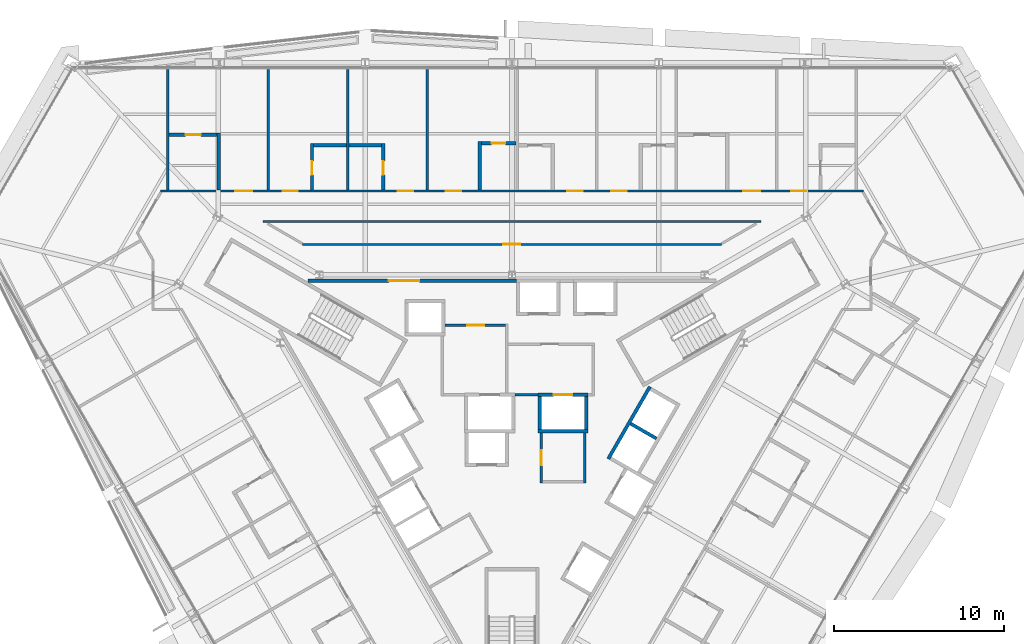
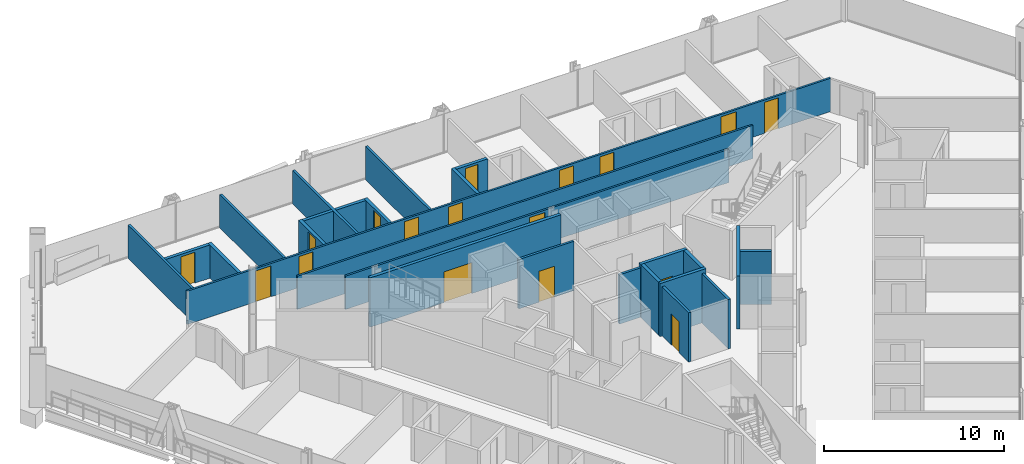
# One storey, part 14 of 18: 26 walls, 17 doors, 17 openings.
"""IFC4 building model written with IfcOpenShell, lengths in metres."""

from ifc_helpers import new_model, si_unit, direction, frame, frame_2d, origin, place, context, subcontext, project, spatial, rectangle, extrude, material, layer, layer_set, type_object, element, fill, save


model = new_model("IFC4")

# Units and contexts
model_context = context("Model", 3, precision=1e-05, world=origin(), true_north=direction((0.0, 1.0)))
body_context = subcontext(model_context, "Body", "Model", "MODEL_VIEW")
ifc_project = project(units=[si_unit("LENGTHUNIT", "METRE"), si_unit("AREAUNIT", "SQUARE_METRE"), si_unit("VOLUMEUNIT", "CUBIC_METRE"), si_unit("PLANEANGLEUNIT", "RADIAN"), si_unit("MASSUNIT", "GRAM", prefix="KILO")], contexts=[model_context])

# Site, building, storey
site_placement = place(None, origin())
site = spatial("IfcSite", under=ifc_project, at=site_placement, CompositionType="ELEMENT")
building_placement = place(site_placement, origin())
building = spatial("IfcBuilding", under=site, at=building_placement, Name="Verrane Prism Tower", CompositionType="ELEMENT")
storey_placement = place(building_placement, frame((0.0, 0.0, 83.60009765625)))
storey = spatial("IfcBuildingStorey", under=building, at=storey_placement, Name="L19", CompositionType="ELEMENT", Elevation=83.60009765625)

# Wall, opening, door
ifc_material_1 = material(Name="Gypsum board partition", Category="other")
ifc_layer_1 = layer(ifc_material_1, 0.199951171875)
ifc_layer_set_1 = layer_set([ifc_layer_1], Name="CW-200 core boundary wall 2 h")
wall_type_1 = type_object("IfcWallType", Name="CW-200 core boundary wall 2 h", PredefinedType="PARTITIONING", material=ifc_layer_set_1)
wall_1_placement = place(storey_placement, frame((0.262939453125, 8.860107421875, 0.0), z_axis=(0.0, 0.0, 1.0), x_axis=(-1.0, 0.0, 0.0)))
wall_1 = element("IfcWall", 1, at=wall_1_placement, inside=storey, type_object=wall_type_1, Name="Core boundary wall CW3-002", PredefinedType="PARTITIONING", context=body_context, shape_type="SweptSolid", body=[
    extrude(rectangle(XDim=12.25390625, YDim=0.199951171875, at=frame_2d((6.126953125, 0.0))), origin(), (0.0, 0.0, 1.0), 3.349853515625),
])
opening_1_placement = place(wall_1_placement, frame((5.708984375, 0.0, 0.0)))
opening_1 = element("IfcOpeningElement", 2, at=opening_1_placement, cuts=wall_1, Name="Opening D17511", PredefinedType="OPENING", context=body_context, shape_type="SweptSolid", body=[
    extrude(rectangle(XDim=1.800048828125, YDim=2.10009765625, at=frame_2d((0.89990234375, 1.050048828125))), frame((0.0, 0.10986328125, 0.0), z_axis=(0.0, -1.0, 0.0), x_axis=(1.0, 0.0, 0.0)), (0.0, 0.0, 1.0), 0.219970703125),
])
ifc_material_2 = material(Name="Timber veneered door leaf", Category="wood")
door_type_1 = type_object("IfcDoorType", Name="DR-1800x2100 FD60 double leaf lift lobby", OperationType="NOTDEFINED", PredefinedType="DOOR", material=ifc_material_2)
door_1_placement = place(opening_1_placement, origin())
door_1 = element("IfcDoor", 3, at=door_1_placement, inside=storey, type_object=door_type_1, Name="Lift lobby door D17511", OperationType="DOUBLE_DOOR_SINGLE_SWING", OverallHeight=2.10009765625, OverallWidth=1.800048828125, PredefinedType="DOOR", context=body_context, shape_type="SweptSolid", body=[
    extrude(rectangle(XDim=1.800048828125, YDim=2.10009765625, at=frame_2d((0.89990234375, 1.050048828125))), frame((0.0, 0.02490234375, 0.0), z_axis=(0.0, -1.0, 0.0), x_axis=(1.0, 0.0, 0.0)), (0.0, 0.0, 1.0), 0.050048828125),
])
fill(opening_1, door_1)

# Wall
ifc_material_3 = material(Name="Gypsum board shaft wall assembly", Category="other")
ifc_layer_2 = layer(ifc_material_3, 0.199951171875)
ifc_layer_set_2 = layer_set([ifc_layer_2], Name="HW-200 lift shaft wall 2 h")
wall_type_2 = type_object("IfcWallType", Name="HW-200 lift shaft wall 2 h", PredefinedType="PARTITIONING", material=ifc_layer_set_2)
wall_2_placement = place(storey_placement, frame((1.52490234375, 0.0, 0.0), z_axis=(0.0, 0.0, 1.0), x_axis=(1.0, 0.0, 0.0)))
element("IfcWall", 4, at=wall_2_placement, inside=storey, type_object=wall_type_2, Name="Lift shaft wall", PredefinedType="PARTITIONING", context=body_context, shape_type="SweptSolid", body=[
    extrude(rectangle(XDim=2.9501953125, YDim=0.199951171875, at=frame_2d((1.47509765625, 0.0))), origin(), (0.0, 0.0, 1.0), 3.599853515625),
])

# Wall, opening, door
wall_3_placement = place(storey_placement, frame((1.52490234375, 2.14990234375, 0.0), z_axis=(0.0, 0.0, 1.0), x_axis=(1.0, 0.0, 0.0)))
wall_3 = element("IfcWall", 5, at=wall_3_placement, inside=storey, type_object=wall_type_2, Name="Lift shaft wall", PredefinedType="PARTITIONING", context=body_context, shape_type="SweptSolid", body=[
    extrude(rectangle(XDim=2.9501953125, YDim=0.199951171875, at=frame_2d((1.47509765625, 0.0))), origin(), (0.0, 0.0, 1.0), 3.599853515625),
])
opening_2_placement = place(wall_3_placement, frame((0.925048828125, 0.0, 0.0)))
opening_2 = element("IfcOpeningElement", 6, at=opening_2_placement, cuts=wall_3, Name="Opening D17509", PredefinedType="OPENING", context=body_context, shape_type="SweptSolid", body=[
    extrude(rectangle(XDim=1.10009765625, YDim=2.10009765625, at=frame_2d((0.550048828125, 1.050048828125))), frame((0.0, 0.10986328125, 0.0), z_axis=(0.0, -1.0, 0.0), x_axis=(1.0, 0.0, 0.0)), (0.0, 0.0, 1.0), 0.219970703125),
])
ifc_material_4 = material(Name="Stainless steel sliding landing door", Category="steel")
door_type_2 = type_object("IfcDoorType", Name="LD-1100x2100 lift landing door FD90 sliding", OperationType="NOTDEFINED", PredefinedType="DOOR", material=ifc_material_4)
door_2_placement = place(opening_2_placement, origin())
door_2 = element("IfcDoor", 7, at=door_2_placement, inside=storey, type_object=door_type_2, Name="Fire service lift 2 landing door", OperationType="SLIDING_TO_RIGHT", OverallHeight=2.10009765625, OverallWidth=1.10009765625, PredefinedType="DOOR", context=body_context, shape_type="SweptSolid", body=[
    extrude(rectangle(XDim=1.10009765625, YDim=2.10009765625, at=frame_2d((0.550048828125, 1.050048828125))), frame((0.0, 0.02490234375, 0.0), z_axis=(0.0, -1.0, 0.0), x_axis=(1.0, 0.0, 0.0)), (0.0, 0.0, 1.0), 0.050048828125),
])
fill(opening_2, door_2)

# Walls
wall_4_placement = place(storey_placement, frame((5.66259765625, -1.6123046875, 0.0), z_axis=(0.0, 0.0, 1.0), x_axis=(0.49998122708, 0.866036242063, 0.0)))
element("IfcWall", 8, at=wall_4_placement, inside=storey, type_object=wall_type_2, Name="Lift shaft wall", PredefinedType="PARTITIONING", context=body_context, shape_type="SweptSolid", body=[
    extrude(rectangle(XDim=4.900146484375, YDim=0.199951171875, at=frame_2d((2.4501953125, 0.0))), origin(), (0.0, 0.0, 1.0), 3.599853515625),
])
for number, where, z_axis, x_axis, name in (
    (9, (4.375, 0.10009765625, 0.0), (0.0, 0.0, 1.0), (0.0, 1.0, 0.0), "Lift shaft wall"),
    (10, (1.625, 0.10009765625, 0.0), (0.0, 0.0, 1.0), (0.0, 1.0, 0.0), "Lift shaft wall"),
):
    element("IfcWall", number, at=place(storey_placement, frame(where, z_axis=z_axis, x_axis=x_axis)), inside=storey, type_object=wall_type_2, Name=name, PredefinedType="PARTITIONING", context=body_context, shape_type="SweptSolid", body=[
        extrude(rectangle(XDim=1.949951171875, YDim=0.199951171875, at=frame_2d((0.97509765625, 0.0))), origin(), (0.0, 0.0, 1.0), 3.599853515625),
    ])
wall_5_placement = place(storey_placement, frame((8.48974609375, -0.41552734375, 0.0), z_axis=(0.0, 0.0, 1.0), x_axis=(-0.866036909293, 0.499980071345, 0.0)))
element("IfcWall", 11, at=wall_5_placement, inside=storey, type_object=wall_type_2, Name="Lift shaft wall", PredefinedType="PARTITIONING", context=body_context, shape_type="SweptSolid", body=[
    extrude(rectangle(XDim=1.75, YDim=0.199951171875, at=frame_2d((0.875, 0.0))), origin(), (0.0, 0.0, 1.0), 3.599853515625),
])

# Wall, opening, door
ifc_material_5 = material(Name="Gypsum board partition", Category="other")
ifc_layer_3 = layer(ifc_material_5, 0.14990234375)
ifc_layer_set_3 = layer_set([ifc_layer_3], Name="LF-150 firefighting lobby wall 1 h")
wall_type_3 = type_object("IfcWallType", Name="LF-150 firefighting lobby wall 1 h", PredefinedType="PARTITIONING", material=ifc_layer_set_3)
wall_6_placement = place(storey_placement, frame((-3.93310546875, 6.239990234375, 0.0), z_axis=(0.0, 0.0, 1.0), x_axis=(1.0, 0.0, 0.0)))
wall_6 = element("IfcWall", 12, at=wall_6_placement, inside=storey, type_object=wall_type_3, Name="Firefighting lobby wall LF1-003", PredefinedType="PARTITIONING", context=body_context, shape_type="SweptSolid", body=[
    extrude(rectangle(XDim=3.5380859375, YDim=0.14990234375, at=frame_2d((1.76904296875, 0.0))), origin(), (0.0, 0.0, 1.0), 3.349853515625),
])
opening_3_placement = place(wall_6_placement, frame((1.300048828125, 0.0, 0.0)))
opening_3 = element("IfcOpeningElement", 13, at=opening_3_placement, cuts=wall_6, Name="Opening D17515", PredefinedType="OPENING", context=body_context, shape_type="SweptSolid", body=[
    extrude(rectangle(XDim=1.0, YDim=2.10009765625, at=frame_2d((0.5, 1.050048828125))), frame((0.0, 0.0849609375, 0.0), z_axis=(0.0, -1.0, 0.0), x_axis=(1.0, 0.0, 0.0)), (0.0, 0.0, 1.0), 0.169921875),
])
ifc_material_6 = material(Name="Timber veneered door leaf", Category="wood")
door_type_3 = type_object("IfcDoorType", Name="DR-1000x2100 FD60 single leaf firefighting lobby", OperationType="NOTDEFINED", PredefinedType="DOOR", material=ifc_material_6)
door_3_placement = place(opening_3_placement, origin())
door_3 = element("IfcDoor", 14, at=door_3_placement, inside=storey, type_object=door_type_3, Name="Firefighting lobby door D17515", OperationType="SINGLE_SWING_LEFT", OverallHeight=2.10009765625, OverallWidth=1.0, PredefinedType="DOOR", context=body_context, shape_type="SweptSolid", body=[
    extrude(rectangle(XDim=1.0, YDim=2.10009765625, at=frame_2d((0.5, 1.050048828125))), frame((0.0, 0.02490234375, 0.0), z_axis=(0.0, -1.0, 0.0), x_axis=(1.0, 0.0, 0.0)), (0.0, 0.0, 1.0), 0.050048828125),
])
fill(opening_3, door_3)

# Wall
wall_7_placement = place(storey_placement, frame((0.1669921875, 2.159912109375, 0.0), z_axis=(0.0, 0.0, 1.0), x_axis=(1.0, 0.0, 0.0)))
element("IfcWall", 15, at=wall_7_placement, inside=storey, type_object=wall_type_3, Name="Firefighting lobby wall LF1-006", PredefinedType="PARTITIONING", context=body_context, shape_type="SweptSolid", body=[
    extrude(rectangle(XDim=1.35595703125, YDim=0.14990234375, at=frame_2d((0.677978515625, 0.0))), origin(), (0.0, 0.0, 1.0), 3.349853515625),
])

# Wall, openings, doors
ifc_material_7 = material(Name="Gypsum board partition", Category="other")
ifc_layer_4 = layer(ifc_material_7, 0.125)
ifc_layer_set_4 = layer_set([ifc_layer_4], Name="PW-125 corridor wall 1 h")
wall_type_4 = type_object("IfcWallType", Name="PW-125 corridor wall 1 h", PredefinedType="PARTITIONING", material=ifc_layer_set_4)
wall_8_placement = place(storey_placement, frame((-20.66259765625, 14.136962890625, 0.0), z_axis=(0.0, 0.0, 1.0), x_axis=(1.0, 0.0, 0.0)))
wall_8 = element("IfcWall", 16, at=wall_8_placement, inside=storey, type_object=wall_type_4, Name="Corridor wall 008", PredefinedType="PARTITIONING", context=body_context, shape_type="SweptSolid", body=[
    extrude(rectangle(XDim=41.3251953125, YDim=0.125, at=frame_2d((20.66259765625, 0.0))), origin(), (0.0, 0.0, 1.0), 2.261962890625),
])
opening_4_placement = place(wall_8_placement, frame((37.070556640625, 0.0, 0.0)))
opening_4 = element("IfcOpeningElement", 17, at=opening_4_placement, cuts=wall_8, Name="Opening D17018", PredefinedType="OPENING", context=body_context, shape_type="SweptSolid", body=[
    extrude(rectangle(XDim=0.89990234375, YDim=2.10009765625, at=frame_2d((0.449951171875, 1.050048828125))), frame((0.0, 0.072509765625, 0.0), z_axis=(0.0, -1.0, 0.0), x_axis=(1.0, 0.0, 0.0)), (0.0, 0.0, 1.0), 0.14501953125),
])
opening_5_placement = place(wall_8_placement, frame((34.2724609375, 0.0, 0.0)))
opening_5 = element("IfcOpeningElement", 18, at=opening_5_placement, cuts=wall_8, Name="Opening D17020", PredefinedType="OPENING", context=body_context, shape_type="SweptSolid", body=[
    extrude(rectangle(XDim=1.0, YDim=2.10009765625, at=frame_2d((0.5, 1.050048828125))), frame((0.0, 0.072509765625, 0.0), z_axis=(0.0, -1.0, 0.0), x_axis=(1.0, 0.0, 0.0)), (0.0, 0.0, 1.0), 0.14501953125),
])
opening_6_placement = place(wall_8_placement, frame((26.49560546875, 0.0, 0.0)))
opening_6 = element("IfcOpeningElement", 19, at=opening_6_placement, cuts=wall_8, Name="Opening D17022", PredefinedType="OPENING", context=body_context, shape_type="SweptSolid", body=[
    extrude(rectangle(XDim=0.89990234375, YDim=2.10009765625, at=frame_2d((0.449951171875, 1.050048828125))), frame((0.0, 0.072509765625, 0.0), z_axis=(0.0, -1.0, 0.0), x_axis=(1.0, 0.0, 0.0)), (0.0, 0.0, 1.0), 0.14501953125),
])
opening_7_placement = place(wall_8_placement, frame((23.91748046875, 0.0, 0.0)))
opening_7 = element("IfcOpeningElement", 20, at=opening_7_placement, cuts=wall_8, Name="Opening D17024", PredefinedType="OPENING", context=body_context, shape_type="SweptSolid", body=[
    extrude(rectangle(XDim=0.89990234375, YDim=2.10009765625, at=frame_2d((0.449951171875, 1.050048828125))), frame((0.0, 0.072509765625, 0.0), z_axis=(0.0, -1.0, 0.0), x_axis=(1.0, 0.0, 0.0)), (0.0, 0.0, 1.0), 0.14501953125),
])
opening_8_placement = place(wall_8_placement, frame((16.779541015625, 0.0, 0.0)))
opening_8 = element("IfcOpeningElement", 21, at=opening_8_placement, cuts=wall_8, Name="Opening D17026", PredefinedType="OPENING", context=body_context, shape_type="SweptSolid", body=[
    extrude(rectangle(XDim=0.89990234375, YDim=2.10009765625, at=frame_2d((0.449951171875, 1.050048828125))), frame((0.0, 0.072509765625, 0.0), z_axis=(0.0, -1.0, 0.0), x_axis=(1.0, 0.0, 0.0)), (0.0, 0.0, 1.0), 0.14501953125),
])
opening_9_placement = place(wall_8_placement, frame((13.952392578125, 0.0, 0.0)))
opening_9 = element("IfcOpeningElement", 22, at=opening_9_placement, cuts=wall_8, Name="Opening D17028", PredefinedType="OPENING", context=body_context, shape_type="SweptSolid", body=[
    extrude(rectangle(XDim=0.89990234375, YDim=2.10009765625, at=frame_2d((0.449951171875, 1.050048828125))), frame((0.0, 0.072509765625, 0.0), z_axis=(0.0, -1.0, 0.0), x_axis=(1.0, 0.0, 0.0)), (0.0, 0.0, 1.0), 0.14501953125),
])
opening_10_placement = place(wall_8_placement, frame((7.174560546875, 0.0, 0.0)))
opening_10 = element("IfcOpeningElement", 23, at=opening_10_placement, cuts=wall_8, Name="Opening D17030", PredefinedType="OPENING", context=body_context, shape_type="SweptSolid", body=[
    extrude(rectangle(XDim=0.89990234375, YDim=2.10009765625, at=frame_2d((0.449951171875, 1.050048828125))), frame((0.0, 0.072509765625, 0.0), z_axis=(0.0, -1.0, 0.0), x_axis=(1.0, 0.0, 0.0)), (0.0, 0.0, 1.0), 0.14501953125),
])
opening_11_placement = place(wall_8_placement, frame((4.37646484375, 0.0, 0.0)))
opening_11 = element("IfcOpeningElement", 24, at=opening_11_placement, cuts=wall_8, Name="Opening D17032", PredefinedType="OPENING", context=body_context, shape_type="SweptSolid", body=[
    extrude(rectangle(XDim=1.0, YDim=2.10009765625, at=frame_2d((0.5, 1.050048828125))), frame((0.0, 0.072509765625, 0.0), z_axis=(0.0, -1.0, 0.0), x_axis=(1.0, 0.0, 0.0)), (0.0, 0.0, 1.0), 0.14501953125),
])
ifc_material_8 = material(Name="Timber veneered door leaf", Category="wood")
door_type_4 = type_object("IfcDoorType", Name="DR-1000x2100 FD20 single leaf unit", OperationType="NOTDEFINED", PredefinedType="DOOR", material=ifc_material_8)
door_4_placement = place(opening_5_placement, origin())
door_4 = element("IfcDoor", 25, at=door_4_placement, inside=storey, type_object=door_type_4, Name="Accessible Guest Room door", OperationType="SINGLE_SWING_RIGHT", OverallHeight=2.10009765625, OverallWidth=1.0, PredefinedType="DOOR", context=body_context, shape_type="SweptSolid", body=[
    extrude(rectangle(XDim=1.0, YDim=2.10009765625, at=frame_2d((0.5, 1.050048828125))), frame((0.0, 0.02490234375, 0.0), z_axis=(0.0, -1.0, 0.0), x_axis=(1.0, 0.0, 0.0)), (0.0, 0.0, 1.0), 0.050048828125),
])
fill(opening_5, door_4)
door_5_placement = place(opening_11_placement, origin())
door_5 = element("IfcDoor", 26, at=door_5_placement, inside=storey, type_object=door_type_4, Name="Accessible Guest Room door", OperationType="SINGLE_SWING_RIGHT", OverallHeight=2.10009765625, OverallWidth=1.0, PredefinedType="DOOR", context=body_context, shape_type="SweptSolid", body=[
    extrude(rectangle(XDim=1.0, YDim=2.10009765625, at=frame_2d((0.5, 1.050048828125))), frame((0.0, 0.02490234375, 0.0), z_axis=(0.0, -1.0, 0.0), x_axis=(1.0, 0.0, 0.0)), (0.0, 0.0, 1.0), 0.050048828125),
])
fill(opening_11, door_5)
ifc_material_9 = material(Name="Timber veneered door leaf", Category="wood")
door_type_5 = type_object("IfcDoorType", Name="DR-900x2100 FD20 single leaf unit", OperationType="NOTDEFINED", PredefinedType="DOOR", material=ifc_material_9)
door_6_placement = place(opening_4_placement, origin())
door_6 = element("IfcDoor", 27, at=door_6_placement, inside=storey, type_object=door_type_5, Name="Guest Room door", OperationType="SINGLE_SWING_RIGHT", OverallHeight=2.10009765625, OverallWidth=0.89990234375, PredefinedType="DOOR", context=body_context, shape_type="SweptSolid", body=[
    extrude(rectangle(XDim=0.89990234375, YDim=2.10009765625, at=frame_2d((0.449951171875, 1.050048828125))), frame((0.0, 0.02490234375, 0.0), z_axis=(0.0, -1.0, 0.0), x_axis=(1.0, 0.0, 0.0)), (0.0, 0.0, 1.0), 0.050048828125),
])
fill(opening_4, door_6)
door_7_placement = place(opening_6_placement, origin())
door_7 = element("IfcDoor", 28, at=door_7_placement, inside=storey, type_object=door_type_5, Name="Guest Room door", OperationType="SINGLE_SWING_RIGHT", OverallHeight=2.10009765625, OverallWidth=0.89990234375, PredefinedType="DOOR", context=body_context, shape_type="SweptSolid", body=[
    extrude(rectangle(XDim=0.89990234375, YDim=2.10009765625, at=frame_2d((0.449951171875, 1.050048828125))), frame((0.0, 0.02490234375, 0.0), z_axis=(0.0, -1.0, 0.0), x_axis=(1.0, 0.0, 0.0)), (0.0, 0.0, 1.0), 0.050048828125),
])
fill(opening_6, door_7)
door_8_placement = place(opening_7_placement, origin())
door_8 = element("IfcDoor", 29, at=door_8_placement, inside=storey, type_object=door_type_5, Name="Guest Room door", OperationType="SINGLE_SWING_RIGHT", OverallHeight=2.10009765625, OverallWidth=0.89990234375, PredefinedType="DOOR", context=body_context, shape_type="SweptSolid", body=[
    extrude(rectangle(XDim=0.89990234375, YDim=2.10009765625, at=frame_2d((0.449951171875, 1.050048828125))), frame((0.0, 0.02490234375, 0.0), z_axis=(0.0, -1.0, 0.0), x_axis=(1.0, 0.0, 0.0)), (0.0, 0.0, 1.0), 0.050048828125),
])
fill(opening_7, door_8)
door_9_placement = place(opening_8_placement, origin())
door_9 = element("IfcDoor", 30, at=door_9_placement, inside=storey, type_object=door_type_5, Name="Guest Room door", OperationType="SINGLE_SWING_RIGHT", OverallHeight=2.10009765625, OverallWidth=0.89990234375, PredefinedType="DOOR", context=body_context, shape_type="SweptSolid", body=[
    extrude(rectangle(XDim=0.89990234375, YDim=2.10009765625, at=frame_2d((0.449951171875, 1.050048828125))), frame((0.0, 0.02490234375, 0.0), z_axis=(0.0, -1.0, 0.0), x_axis=(1.0, 0.0, 0.0)), (0.0, 0.0, 1.0), 0.050048828125),
])
fill(opening_8, door_9)
door_10_placement = place(opening_9_placement, origin())
door_10 = element("IfcDoor", 31, at=door_10_placement, inside=storey, type_object=door_type_5, Name="Guest Room door", OperationType="SINGLE_SWING_RIGHT", OverallHeight=2.10009765625, OverallWidth=0.89990234375, PredefinedType="DOOR", context=body_context, shape_type="SweptSolid", body=[
    extrude(rectangle(XDim=0.89990234375, YDim=2.10009765625, at=frame_2d((0.449951171875, 1.050048828125))), frame((0.0, 0.02490234375, 0.0), z_axis=(0.0, -1.0, 0.0), x_axis=(1.0, 0.0, 0.0)), (0.0, 0.0, 1.0), 0.050048828125),
])
fill(opening_9, door_10)
door_11_placement = place(opening_10_placement, origin())
door_11 = element("IfcDoor", 32, at=door_11_placement, inside=storey, type_object=door_type_5, Name="Guest Room door", OperationType="SINGLE_SWING_RIGHT", OverallHeight=2.10009765625, OverallWidth=0.89990234375, PredefinedType="DOOR", context=body_context, shape_type="SweptSolid", body=[
    extrude(rectangle(XDim=0.89990234375, YDim=2.10009765625, at=frame_2d((0.449951171875, 1.050048828125))), frame((0.0, 0.02490234375, 0.0), z_axis=(0.0, -1.0, 0.0), x_axis=(1.0, 0.0, 0.0)), (0.0, 0.0, 1.0), 0.050048828125),
])
fill(opening_10, door_11)

# Wall
wall_9_placement = place(storey_placement, frame((-14.631591796875, 12.3369140625, 0.0), z_axis=(0.0, 0.0, 1.0), x_axis=(1.0, 0.0, 0.0)))
element("IfcWall", 33, at=wall_9_placement, inside=storey, type_object=wall_type_4, Name="Corridor wall 020", PredefinedType="PARTITIONING", context=body_context, shape_type="SweptSolid", body=[
    extrude(rectangle(XDim=29.26318359375, YDim=0.125, at=frame_2d((14.631591796875, 0.0))), origin(), (0.0, 0.0, 1.0), 2.261962890625),
])

# Wall, opening, door
wall_10_placement = place(storey_placement, frame((-12.3154296875, 11.0, 0.0), z_axis=(0.0, 0.0, 1.0), x_axis=(1.0, 0.0, 0.0)))
wall_10 = element("IfcWall", 34, at=wall_10_placement, inside=storey, type_object=wall_type_4, Name="Corridor wall 024", PredefinedType="PARTITIONING", context=body_context, shape_type="SweptSolid", body=[
    extrude(rectangle(XDim=24.630859375, YDim=0.125, at=frame_2d((12.3154296875, 0.0))), origin(), (0.0, 0.0, 1.0), 2.261962890625),
])
opening_12_placement = place(wall_10_placement, frame((11.8125, 0.0, 0.0)))
opening_12 = element("IfcOpeningElement", 35, at=opening_12_placement, cuts=wall_10, Name="Opening D17050", PredefinedType="OPENING", context=body_context, shape_type="SweptSolid", body=[
    extrude(rectangle(XDim=1.0, YDim=2.10009765625, at=frame_2d((0.5, 1.050048828125))), frame((0.0, 0.072509765625, 0.0), z_axis=(0.0, -1.0, 0.0), x_axis=(1.0, 0.0, 0.0)), (0.0, 0.0, 1.0), 0.14501953125),
])
ifc_material_10 = material(Name="Timber veneered door leaf", Category="wood")
door_type_6 = type_object("IfcDoorType", Name="DR-1000x2100 FD20 single leaf service", OperationType="NOTDEFINED", PredefinedType="DOOR", material=ifc_material_10)
door_12_placement = place(opening_12_placement, origin())
door_12 = element("IfcDoor", 36, at=door_12_placement, inside=storey, type_object=door_type_6, Name="Meeting Store door", OperationType="SINGLE_SWING_RIGHT", OverallHeight=2.10009765625, OverallWidth=1.0, PredefinedType="DOOR", context=body_context, shape_type="SweptSolid", body=[
    extrude(rectangle(XDim=1.0, YDim=2.10009765625, at=frame_2d((0.5, 1.050048828125))), frame((0.0, 0.02490234375, 0.0), z_axis=(0.0, -1.0, 0.0), x_axis=(1.0, 0.0, 0.0)), (0.0, 0.0, 1.0), 0.050048828125),
])
fill(opening_12, door_12)

# Walls
ifc_material_11 = material(Name="Gypsum board partition", Category="other")
ifc_layer_5 = layer(ifc_material_11, 0.14990234375)
ifc_layer_set_5 = layer_set([ifc_layer_5], Name="PW-150 demising wall 1 h")
wall_type_5 = type_object("IfcWallType", Name="PW-150 demising wall 1 h", PredefinedType="PARTITIONING", material=ifc_layer_set_5)
for number, where, z_axis, x_axis, name in (
    (37, (-20.236083984375, 14.199462890625, 0.0), (0.0, 0.0, 1.0), (0.0, 1.0, 0.0), "Demising wall 009"),
    (38, (-14.337890625, 14.199462890625, 0.0), (0.0, 0.0, 1.0), (0.0, 1.0, 0.0), "Demising wall 021"),
    (39, (-9.659912109375, 14.199462890625, 0.0), (0.0, 0.0, 1.0), (0.0, 1.0, 0.0), "Demising wall 031"),
    (40, (-4.98291015625, 14.199462890625, 0.0), (0.0, 0.0, 1.0), (0.0, 1.0, 0.0), "Demising wall 040"),
):
    element("IfcWall", number, at=place(storey_placement, frame(where, z_axis=z_axis, x_axis=x_axis)), inside=storey, type_object=wall_type_5, Name=name, PredefinedType="PARTITIONING", context=body_context, shape_type="SweptSolid", body=[
        extrude(rectangle(XDim=7.095458984375, YDim=0.14990234375, at=frame_2d((3.5478515625, 0.0))), origin(), (0.0, 0.0, 1.0), 2.261962890625),
    ])

# Wall, opening, door
ifc_material_12 = material(Name="Gypsum board partition", Category="other")
ifc_layer_6 = layer(ifc_material_12, 0.199951171875)
ifc_layer_set_6 = layer_set([ifc_layer_6], Name="PW-200 plumbing wall")
wall_type_6 = type_object("IfcWallType", Name="PW-200 plumbing wall", PredefinedType="PARTITIONING", material=ifc_layer_set_6)
wall_11_placement = place(storey_placement, frame((-17.3359375, 17.43701171875, 0.0), z_axis=(0.0, 0.0, 1.0), x_axis=(-1.0, 0.0, 0.0)))
wall_11 = element("IfcWall", 41, at=wall_11_placement, inside=storey, type_object=wall_type_6, Name="Plumbing wall 010", PredefinedType="PARTITIONING", context=body_context, shape_type="SweptSolid", body=[
    extrude(rectangle(XDim=2.824951171875, YDim=0.199951171875, at=frame_2d((1.41259765625, 0.0))), origin(), (0.0, 0.0, 1.0), 2.261962890625),
])
opening_13_placement = place(wall_11_placement, frame((0.949951171875, 0.0, 0.0)))
opening_13 = element("IfcOpeningElement", 42, at=opening_13_placement, cuts=wall_11, Name="Opening D17033", PredefinedType="OPENING", context=body_context, shape_type="SweptSolid", body=[
    extrude(rectangle(XDim=0.89990234375, YDim=2.10009765625, at=frame_2d((0.449951171875, 1.050048828125))), frame((0.0, 0.10986328125, 0.0), z_axis=(0.0, -1.0, 0.0), x_axis=(1.0, 0.0, 0.0)), (0.0, 0.0, 1.0), 0.219970703125),
])
ifc_material_13 = material(Name="Timber veneered door leaf", Category="wood")
door_type_7 = type_object("IfcDoorType", Name="DR-900x2100 single leaf bath", OperationType="NOTDEFINED", PredefinedType="DOOR", material=ifc_material_13)
door_13_placement = place(opening_13_placement, origin())
door_13 = element("IfcDoor", 43, at=door_13_placement, inside=storey, type_object=door_type_7, Name="En-Suite door", OperationType="SINGLE_SWING_RIGHT", OverallHeight=2.10009765625, OverallWidth=0.89990234375, PredefinedType="DOOR", context=body_context, shape_type="SweptSolid", body=[
    extrude(rectangle(XDim=0.89990234375, YDim=2.10009765625, at=frame_2d((0.449951171875, 1.050048828125))), frame((0.0, 0.02490234375, 0.0), z_axis=(0.0, -1.0, 0.0), x_axis=(1.0, 0.0, 0.0)), (0.0, 0.0, 1.0), 0.050048828125),
])
fill(opening_13, door_13)

# Wall
wall_12_placement = place(storey_placement, frame((-17.236083984375, 14.199462890625, 0.0), z_axis=(0.0, 0.0, 1.0), x_axis=(0.0, 1.0, 0.0)))
element("IfcWall", 44, at=wall_12_placement, inside=storey, type_object=wall_type_6, Name="Plumbing wall 014", PredefinedType="PARTITIONING", context=body_context, shape_type="SweptSolid", body=[
    extrude(rectangle(XDim=3.337646484375, YDim=0.199951171875, at=frame_2d((1.6689453125, 0.0))), origin(), (0.0, 0.0, 1.0), 2.261962890625),
])

# Wall, opening, door
wall_13_placement = place(storey_placement, frame((-11.760009765625, 16.93701171875, 0.0), z_axis=(0.0, 0.0, 1.0), x_axis=(0.0, -1.0, 0.0)))
wall_13 = element("IfcWall", 45, at=wall_13_placement, inside=storey, type_object=wall_type_6, Name="Plumbing wall 025", PredefinedType="PARTITIONING", context=body_context, shape_type="SweptSolid", body=[
    extrude(rectangle(XDim=2.737548828125, YDim=0.199951171875, at=frame_2d((1.36865234375, 0.0))), origin(), (0.0, 0.0, 1.0), 2.261962890625),
])
opening_14_placement = place(wall_13_placement, frame((1.050048828125, 0.0, 0.0)))
opening_14 = element("IfcOpeningElement", 46, at=opening_14_placement, cuts=wall_13, Name="Opening D17031", PredefinedType="OPENING", context=body_context, shape_type="SweptSolid", body=[
    extrude(rectangle(XDim=0.800048828125, YDim=2.10009765625, at=frame_2d((0.39990234375, 1.050048828125))), frame((0.0, 0.10986328125, 0.0), z_axis=(0.0, -1.0, 0.0), x_axis=(1.0, 0.0, 0.0)), (0.0, 0.0, 1.0), 0.219970703125),
])
ifc_material_14 = material(Name="Timber veneered door leaf", Category="wood")
door_type_8 = type_object("IfcDoorType", Name="DR-800x2100 single leaf bath", OperationType="NOTDEFINED", PredefinedType="DOOR", material=ifc_material_14)
door_14_placement = place(opening_14_placement, origin())
door_14 = element("IfcDoor", 47, at=door_14_placement, inside=storey, type_object=door_type_8, Name="En-Suite door", OperationType="SINGLE_SWING_RIGHT", OverallHeight=2.10009765625, OverallWidth=0.800048828125, PredefinedType="DOOR", context=body_context, shape_type="SweptSolid", body=[
    extrude(rectangle(XDim=0.800048828125, YDim=2.10009765625, at=frame_2d((0.39990234375, 1.050048828125))), frame((0.0, 0.02490234375, 0.0), z_axis=(0.0, -1.0, 0.0), x_axis=(1.0, 0.0, 0.0)), (0.0, 0.0, 1.0), 0.050048828125),
])
fill(opening_14, door_14)

# Walls
wall_14_placement = place(storey_placement, frame((-11.659912109375, 16.8369140625, 0.0), z_axis=(0.0, 0.0, 1.0), x_axis=(1.0, 0.0, 0.0)))
element("IfcWall", 48, at=wall_14_placement, inside=storey, type_object=wall_type_6, Name="Plumbing wall 026", PredefinedType="PARTITIONING", context=body_context, shape_type="SweptSolid", body=[
    extrude(rectangle(XDim=1.919921875, YDim=0.199951171875, at=frame_2d((0.9599609375, 0.0))), origin(), (0.0, 0.0, 1.0), 2.261962890625),
])
wall_15_placement = place(storey_placement, frame((-9.580078125, 16.8369140625, 0.0), z_axis=(0.0, 0.0, 1.0), x_axis=(1.0, 0.0, 0.0)))
element("IfcWall", 49, at=wall_15_placement, inside=storey, type_object=wall_type_6, Name="Plumbing wall 032", PredefinedType="PARTITIONING", context=body_context, shape_type="SweptSolid", body=[
    extrude(rectangle(XDim=1.920166015625, YDim=0.199951171875, at=frame_2d((0.9599609375, 0.0))), origin(), (0.0, 0.0, 1.0), 2.261962890625),
])

# Wall, opening, door
wall_16_placement = place(storey_placement, frame((-7.56005859375, 14.199462890625, 0.0), z_axis=(0.0, 0.0, 1.0), x_axis=(0.0, 1.0, 0.0)))
wall_16 = element("IfcWall", 50, at=wall_16_placement, inside=storey, type_object=wall_type_6, Name="Plumbing wall 037", PredefinedType="PARTITIONING", context=body_context, shape_type="SweptSolid", body=[
    extrude(rectangle(XDim=2.737548828125, YDim=0.199951171875, at=frame_2d((1.36865234375, 0.0))), origin(), (0.0, 0.0, 1.0), 2.261962890625),
])
opening_15_placement = place(wall_16_placement, frame((0.887451171875, 0.0, 0.0)))
opening_15 = element("IfcOpeningElement", 51, at=opening_15_placement, cuts=wall_16, Name="Opening D17029", PredefinedType="OPENING", context=body_context, shape_type="SweptSolid", body=[
    extrude(rectangle(XDim=0.800048828125, YDim=2.10009765625, at=frame_2d((0.39990234375, 1.050048828125))), frame((0.0, 0.10986328125, 0.0), z_axis=(0.0, -1.0, 0.0), x_axis=(1.0, 0.0, 0.0)), (0.0, 0.0, 1.0), 0.219970703125),
])
door_15_placement = place(opening_15_placement, origin())
door_15 = element("IfcDoor", 52, at=door_15_placement, inside=storey, type_object=door_type_8, Name="En-Suite door", OperationType="SINGLE_SWING_LEFT", OverallHeight=2.10009765625, OverallWidth=0.800048828125, PredefinedType="DOOR", context=body_context, shape_type="SweptSolid", body=[
    extrude(rectangle(XDim=0.800048828125, YDim=2.10009765625, at=frame_2d((0.39990234375, 1.050048828125))), frame((0.0, 0.02490234375, 0.0), z_axis=(0.0, -1.0, 0.0), x_axis=(1.0, 0.0, 0.0)), (0.0, 0.0, 1.0), 0.050048828125),
])
fill(opening_15, door_15)

# Wall
wall_17_placement = place(storey_placement, frame((-1.89501953125, 14.199462890625, 0.0), z_axis=(0.0, 0.0, 1.0), x_axis=(0.0, 1.0, 0.0)))
element("IfcWall", 53, at=wall_17_placement, inside=storey, type_object=wall_type_6, Name="Plumbing wall 044", PredefinedType="PARTITIONING", context=body_context, shape_type="SweptSolid", body=[
    extrude(rectangle(XDim=2.837646484375, YDim=0.199951171875, at=frame_2d((1.4189453125, 0.0))), origin(), (0.0, 0.0, 1.0), 2.261962890625),
])

# Wall, opening, door
wall_18_placement = place(storey_placement, frame((0.22998046875, 16.93701171875, 0.0), z_axis=(0.0, 0.0, 1.0), x_axis=(-1.0, 0.0, 0.0)))
wall_18 = element("IfcWall", 54, at=wall_18_placement, inside=storey, type_object=wall_type_6, Name="Plumbing wall 045", PredefinedType="PARTITIONING", context=body_context, shape_type="SweptSolid", body=[
    extrude(rectangle(XDim=2.02490234375, YDim=0.199951171875, at=frame_2d((1.012451171875, 0.0))), origin(), (0.0, 0.0, 1.0), 2.261962890625),
])
opening_16_placement = place(wall_18_placement, frame((0.625, 0.0, 0.0)))
opening_16 = element("IfcOpeningElement", 55, at=opening_16_placement, cuts=wall_18, Name="Opening D17027", PredefinedType="OPENING", context=body_context, shape_type="SweptSolid", body=[
    extrude(rectangle(XDim=0.800048828125, YDim=2.10009765625, at=frame_2d((0.39990234375, 1.050048828125))), frame((0.0, 0.10986328125, 0.0), z_axis=(0.0, -1.0, 0.0), x_axis=(1.0, 0.0, 0.0)), (0.0, 0.0, 1.0), 0.219970703125),
])
door_16_placement = place(opening_16_placement, origin())
door_16 = element("IfcDoor", 56, at=door_16_placement, inside=storey, type_object=door_type_8, Name="En-Suite door", OperationType="SINGLE_SWING_RIGHT", OverallHeight=2.10009765625, OverallWidth=0.800048828125, PredefinedType="DOOR", context=body_context, shape_type="SweptSolid", body=[
    extrude(rectangle(XDim=0.800048828125, YDim=2.10009765625, at=frame_2d((0.39990234375, 1.050048828125))), frame((0.0, 0.02490234375, 0.0), z_axis=(0.0, -1.0, 0.0), x_axis=(1.0, 0.0, 0.0)), (0.0, 0.0, 1.0), 0.050048828125),
])
fill(opening_16, door_16)

ifc_material_15 = material(Name="Gypsum board partition", Category="other")
ifc_layer_7 = layer(ifc_material_15, 0.14990234375)
ifc_layer_set_7 = layer_set([ifc_layer_7], Name="RS-150 riser enclosure wall 1 h")
wall_type_7 = type_object("IfcWallType", Name="RS-150 riser enclosure wall 1 h", PredefinedType="PARTITIONING", material=ifc_layer_set_7)
wall_19_placement = place(storey_placement, frame((1.72509765625, -0.10205078125, 0.0), z_axis=(0.0, 0.0, 1.0), x_axis=(0.0, -1.0, 0.0)))
wall_19 = element("IfcWall", 57, at=wall_19_placement, inside=storey, type_object=wall_type_7, Name="Riser wall RS3-007", PredefinedType="PARTITIONING", context=body_context, shape_type="SweptSolid", body=[
    extrude(rectangle(XDim=2.9228515625, YDim=0.14990234375, at=frame_2d((1.46142578125, 0.0))), origin(), (0.0, 0.0, 1.0), 3.349853515625),
])
opening_17_placement = place(wall_19_placement, frame((0.998046875, 0.0, 0.0)))
opening_17 = element("IfcOpeningElement", 58, at=opening_17_placement, cuts=wall_19, Name="Opening D17518", PredefinedType="OPENING", context=body_context, shape_type="SweptSolid", body=[
    extrude(rectangle(XDim=0.89990234375, YDim=2.10009765625, at=frame_2d((0.449951171875, 1.050048828125))), frame((0.0, 0.0849609375, 0.0), z_axis=(0.0, -1.0, 0.0), x_axis=(1.0, 0.0, 0.0)), (0.0, 0.0, 1.0), 0.169921875),
])
ifc_material_16 = material(Name="Timber veneered door leaf", Category="wood")
door_type_9 = type_object("IfcDoorType", Name="DR-900x2100 FD20 single leaf store", OperationType="NOTDEFINED", PredefinedType="DOOR", material=ifc_material_16)
door_17_placement = place(opening_17_placement, origin())
door_17 = element("IfcDoor", 59, at=door_17_placement, inside=storey, type_object=door_type_9, Name="Room door D17518", OperationType="SINGLE_SWING_LEFT", OverallHeight=2.10009765625, OverallWidth=0.89990234375, PredefinedType="DOOR", context=body_context, shape_type="SweptSolid", body=[
    extrude(rectangle(XDim=0.89990234375, YDim=2.10009765625, at=frame_2d((0.449951171875, 1.050048828125))), frame((0.0, 0.02490234375, 0.0), z_axis=(0.0, -1.0, 0.0), x_axis=(1.0, 0.0, 0.0)), (0.0, 0.0, 1.0), 0.050048828125),
])
fill(opening_17, door_17)

# Wall
wall_20_placement = place(storey_placement, frame((4.27490234375, -3.02490234375, 0.0), z_axis=(0.0, 0.0, 1.0), x_axis=(0.0, 1.0, 0.0)))
element("IfcWall", 60, at=wall_20_placement, inside=storey, type_object=wall_type_7, Name="Riser wall RS3-009", PredefinedType="PARTITIONING", context=body_context, shape_type="SweptSolid", body=[
    extrude(rectangle(XDim=2.9228515625, YDim=0.14990234375, at=frame_2d((1.46142578125, 0.0))), origin(), (0.0, 0.0, 1.0), 3.349853515625),
])

save(model, "model.ifc")
